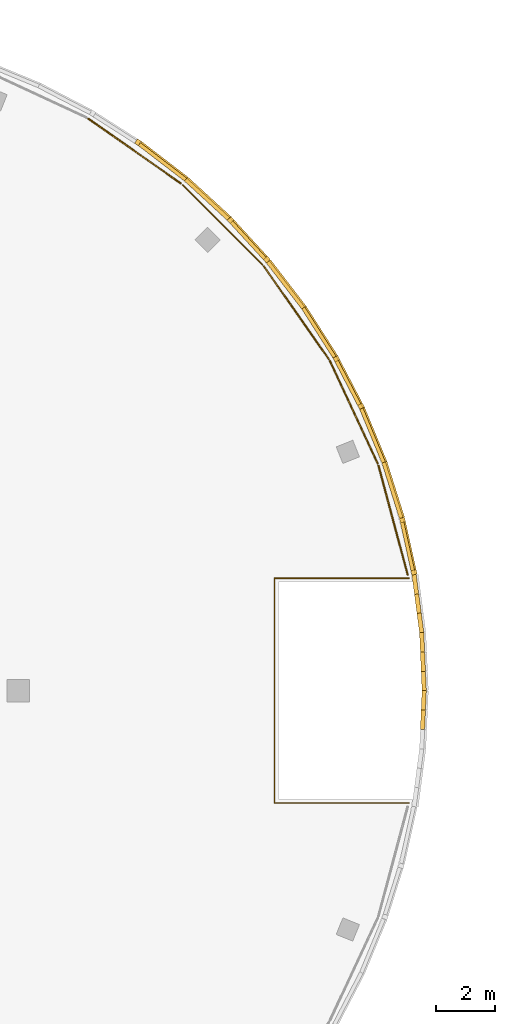
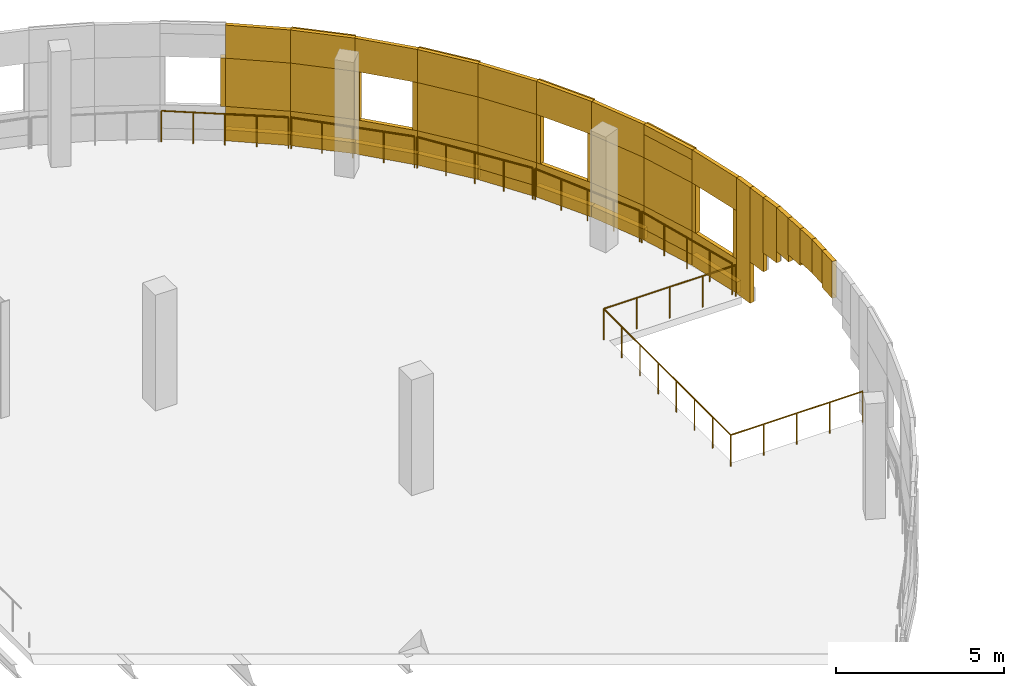
# One storey, part 133 of 135: 52 coverings, 6 railings.
"""IFC4 building model written with IfcOpenShell, lengths in metres."""

from ifc_helpers import new_model, si_unit, direction, frame, origin, origin_2d, place, context, subcontext, project, spatial, rectangle, circle, extrude, material, layer, layer_set, type_object, element, save


model = new_model("IFC4")

# Units and contexts
model_context = context("Model", 3, precision=1e-05, world=origin(), true_north=direction((0.0, 1.0)))
body_context = subcontext(model_context, "Body", "Model", "MODEL_VIEW")
ifc_project = project(units=[si_unit("LENGTHUNIT", "METRE"), si_unit("AREAUNIT", "SQUARE_METRE"), si_unit("VOLUMEUNIT", "CUBIC_METRE"), si_unit("PLANEANGLEUNIT", "RADIAN"), si_unit("MASSUNIT", "GRAM", prefix="KILO")], contexts=[model_context])

# Site, building, storey
site_placement = place(None, origin())
site = spatial("IfcSite", under=ifc_project, at=site_placement, CompositionType="ELEMENT")
building_placement = place(site_placement, origin())
building = spatial("IfcBuilding", under=site, at=building_placement, Name="Deido Ridge Mobility Hub", CompositionType="ELEMENT")
storey_placement = place(building_placement, frame((0.0, 0.0, 4.199951171875)))
storey = spatial("IfcBuildingStorey", under=building, at=storey_placement, Name="L01", CompositionType="ELEMENT", Elevation=4.199951171875)

# Coverings
ifc_material_1 = material(Name="Fired clay brick masonry", Category="masonry")
ifc_layer = layer(ifc_material_1, 0.114990234375, Name="Fired clay brick masonry")
ifc_layer_set = layer_set([ifc_layer], Name="Fired clay brick masonry")
covering_type = type_object("IfcCoveringType", Name="COV-BRK-SCREEN-115", PredefinedType="CLADDING", material=ifc_layer_set)
covering_1_placement = place(storey_placement, frame((139.414794921875, 102.521240234375, 2.864990234375), z_axis=(0.0, 0.0, 1.0), x_axis=(0.043601950678, 0.999048982732, 0.0)))
element("IfcCovering", 1, at=covering_1_placement, inside=storey, type_object=covering_type, Name="Stepped brick portal arch spandrel BKS1 (L01)", PredefinedType="CLADDING", context=body_context, shape_type="SweptSolid", body=[
    extrude(rectangle(XDim=0.657958984375, YDim=0.14501953125, at=origin_2d()), origin(), (0.0, 0.0, 1.0), 1.3349609375),
])
for number, where, z_axis, x_axis, name in (
    (2, (139.443115234375, 103.172119140625, 2.9853515625), (0.0, 0.0, 1.0), (0.043601950678, 0.999048982732, 0.0), "Stepped brick portal arch spandrel BKS1 (L01)"),
    (3, (139.443115234375, 103.827880859375, 2.9853515625), (0.0, 0.0, 1.0), (-0.043601950678, 0.999048982732, 0.0), "Stepped brick portal arch spandrel BKS1 (L01)"),
):
    element("IfcCovering", number, at=place(storey_placement, frame(where, z_axis=z_axis, x_axis=x_axis)), inside=storey, type_object=covering_type, Name=name, PredefinedType="CLADDING", context=body_context, shape_type="SweptSolid", body=[
        extrude(rectangle(XDim=0.657958984375, YDim=0.14501953125, at=origin_2d()), origin(), (0.0, 0.0, 1.0), 1.214599609375),
    ])
covering_2_placement = place(storey_placement, frame((139.414794921875, 104.478759765625, 2.864990234375), z_axis=(0.0, 0.0, 1.0), x_axis=(-0.043601950678, 0.999048982732, 0.0)))
element("IfcCovering", 4, at=covering_2_placement, inside=storey, type_object=covering_type, Name="Stepped brick portal arch spandrel BKS1 (L01)", PredefinedType="CLADDING", context=body_context, shape_type="SweptSolid", body=[
    extrude(rectangle(XDim=0.657958984375, YDim=0.14501953125, at=origin_2d()), origin(), (0.0, 0.0, 1.0), 1.3349609375),
])
covering_3_placement = place(storey_placement, frame((139.386474609375, 105.12939453125, 2.611328125), z_axis=(0.0, 0.0, 1.0), x_axis=(-0.043601950678, 0.999048982732, 0.0)))
element("IfcCovering", 5, at=covering_3_placement, inside=storey, type_object=covering_type, Name="Stepped brick portal arch spandrel BKS1 (L01)", PredefinedType="CLADDING", context=body_context, shape_type="SweptSolid", body=[
    extrude(rectangle(XDim=0.657958984375, YDim=0.14501953125, at=origin_2d()), origin(), (0.0, 0.0, 1.0), 1.588623046875),
])
covering_4_placement = place(storey_placement, frame((139.329345703125, 105.78271484375, 2.18994140625), z_axis=(0.0, 0.0, 1.0), x_axis=(-0.130543496177, 0.991442583111, 0.0)))
element("IfcCovering", 6, at=covering_4_placement, inside=storey, type_object=covering_type, Name="Stepped brick portal arch spandrel BKS1 (L01)", PredefinedType="CLADDING", context=body_context, shape_type="SweptSolid", body=[
    extrude(rectangle(XDim=0.657958984375, YDim=0.14501953125, at=origin_2d()), origin(), (0.0, 0.0, 1.0), 2.010009765625),
])
covering_5_placement = place(storey_placement, frame((139.244384765625, 106.428466796875, 1.504150390625), z_axis=(0.0, 0.0, 1.0), x_axis=(-0.130543496177, 0.991442583111, 0.0)))
element("IfcCovering", 7, at=covering_5_placement, inside=storey, type_object=covering_type, Name="Stepped brick portal arch spandrel BKS1 (L01)", PredefinedType="CLADDING", context=body_context, shape_type="SweptSolid", body=[
    extrude(rectangle(XDim=0.657958984375, YDim=0.14501953125, at=origin_2d()), origin(), (0.0, 0.0, 1.0), 2.69580078125),
])
covering_6_placement = place(storey_placement, frame((139.1591796875, 107.07421875, 0.0), z_axis=(0.0, 0.0, 1.0), x_axis=(-0.130543496177, 0.991442583111, 0.0)))
element("IfcCovering", 8, at=covering_6_placement, inside=storey, type_object=covering_type, Name="Stepped brick portal arch spandrel BKS1 (L01)", PredefinedType="CLADDING", context=body_context, shape_type="SweptSolid", body=[
    extrude(rectangle(XDim=0.657958984375, YDim=0.14501953125, at=origin_2d()), origin(), (0.0, 0.0, 1.0), 4.199951171875),
])
covering_7_placement = place(storey_placement, frame((138.89453125, 108.35400390625, 0.0), z_axis=(0.0, 0.0, 1.0), x_axis=(-0.216456653485, 0.976292229387, 0.0)))
element("IfcCovering", 9, at=covering_7_placement, inside=storey, type_object=covering_type, Name="Open brickwork spandrel course BKS1 (L01)", PredefinedType="CLADDING", context=body_context, shape_type="SweptSolid", body=[
    extrude(rectangle(XDim=1.9619140625, YDim=0.125, at=origin_2d()), origin(), (0.0, 0.0, 1.0), 1.25),
])
covering_8_placement = place(storey_placement, frame((138.92138671875, 108.35986328125, 0.0), z_axis=(0.0, 0.0, 1.0), x_axis=(-0.216456653485, 0.976292229387, 0.0)))
element("IfcCovering", 10, at=covering_8_placement, inside=storey, type_object=covering_type, Name="Raised brick relief belt BKS1 (L01)", PredefinedType="CLADDING", context=body_context, shape_type="SweptSolid", body=[
    extrude(rectangle(XDim=1.9619140625, YDim=0.179931640625, at=origin_2d()), origin(), (0.0, 0.0, 1.0), 0.39990234375),
])
covering_9_placement = place(storey_placement, frame((138.89453125, 108.35400390625, 3.0), z_axis=(0.0, 0.0, 1.0), x_axis=(-0.216456653485, 0.976292229387, 0.0)))
element("IfcCovering", 11, at=covering_9_placement, inside=storey, type_object=covering_type, Name="Open brickwork lintel course BKS1 (L01)", PredefinedType="CLADDING", context=body_context, shape_type="SweptSolid", body=[
    extrude(rectangle(XDim=1.9619140625, YDim=0.125, at=origin_2d()), origin(), (0.0, 0.0, 1.0), 1.199951171875),
])
for number, where, z_axis, x_axis, name in (
    (12, (139.116455078125, 107.480224609375, 1.25), (0.0, 0.0, 1.0), (-0.216456653485, 0.976292229387, 0.0), "Curved brick jamb nib BKS1 (L01)"),
    (13, (138.726318359375, 109.239501953125, 1.25), (0.0, 0.0, 1.0), (-0.216456653485, 0.976292229387, 0.0), "Curved brick jamb nib BKS1 (L01)"),
):
    element("IfcCovering", number, at=place(storey_placement, frame(where, z_axis=z_axis, x_axis=x_axis)), inside=storey, type_object=covering_type, Name=name, PredefinedType="CLADDING", context=body_context, shape_type="SweptSolid", body=[
        extrude(rectangle(XDim=0.152099609375, YDim=0.179931640625, at=origin_2d()), origin(), (0.0, 0.0, 1.0), 1.75),
    ])
covering_10_placement = place(storey_placement, frame((138.38818359375, 110.24365234375, 0.0), z_axis=(0.0, 0.0, 1.0), x_axis=(-0.300672508319, 0.95372744678, 0.0)))
element("IfcCovering", 14, at=covering_10_placement, inside=storey, type_object=covering_type, Name="Open brickwork spandrel course BKS1 (L01)", PredefinedType="CLADDING", context=body_context, shape_type="SweptSolid", body=[
    extrude(rectangle(XDim=1.9619140625, YDim=0.125, at=origin_2d()), origin(), (0.0, 0.0, 1.0), 1.25),
])
covering_11_placement = place(storey_placement, frame((138.414306640625, 110.251953125, 0.0), z_axis=(0.0, 0.0, 1.0), x_axis=(-0.300672508319, 0.95372744678, 0.0)))
element("IfcCovering", 15, at=covering_11_placement, inside=storey, type_object=covering_type, Name="Raised brick relief belt BKS1 (L01)", PredefinedType="CLADDING", context=body_context, shape_type="SweptSolid", body=[
    extrude(rectangle(XDim=1.9619140625, YDim=0.179931640625, at=origin_2d()), origin(), (0.0, 0.0, 1.0), 0.39990234375),
])
covering_12_placement = place(storey_placement, frame((138.38818359375, 110.24365234375, 3.0), z_axis=(0.0, 0.0, 1.0), x_axis=(-0.300672508319, 0.95372744678, 0.0)))
element("IfcCovering", 16, at=covering_12_placement, inside=storey, type_object=covering_type, Name="Open brickwork lintel course BKS1 (L01)", PredefinedType="CLADDING", context=body_context, shape_type="SweptSolid", body=[
    extrude(rectangle(XDim=1.9619140625, YDim=0.125, at=origin_2d()), origin(), (0.0, 0.0, 1.0), 1.199951171875),
])
covering_13_placement = place(storey_placement, frame((138.414306640625, 110.251953125, 3.83984375), z_axis=(0.0, 0.0, 1.0), x_axis=(-0.300672508319, 0.95372744678, 0.0)))
element("IfcCovering", 17, at=covering_13_placement, inside=storey, type_object=covering_type, Name="Raised brick relief cornice BKS1 (L01)", PredefinedType="CLADDING", context=body_context, shape_type="SweptSolid", body=[
    extrude(rectangle(XDim=1.9619140625, YDim=0.179931640625, at=origin_2d()), origin(), (0.0, 0.0, 1.0), 0.360107421875),
])
covering_14_placement = place(storey_placement, frame((138.414306640625, 110.251953125, 1.25), z_axis=(0.0, 0.0, 1.0), x_axis=(-0.300672508319, 0.95372744678, 0.0)))
element("IfcCovering", 18, at=covering_14_placement, inside=storey, type_object=covering_type, Name="Curved raised brickwork pier BKS1 (L01)", PredefinedType="CLADDING", context=body_context, shape_type="SweptSolid", body=[
    extrude(rectangle(XDim=1.9619140625, YDim=0.179931640625, at=origin_2d()), origin(), (0.0, 0.0, 1.0), 1.75),
])
covering_15_placement = place(storey_placement, frame((137.718994140625, 112.08203125, 0.0), z_axis=(0.0, 0.0, 1.0), x_axis=(-0.382699557047, 0.923872853285, 0.0)))
element("IfcCovering", 19, at=covering_15_placement, inside=storey, type_object=covering_type, Name="Open brickwork spandrel course BKS1 (L01)", PredefinedType="CLADDING", context=body_context, shape_type="SweptSolid", body=[
    extrude(rectangle(XDim=1.9619140625, YDim=0.125, at=origin_2d()), origin(), (0.0, 0.0, 1.0), 1.25),
])
covering_16_placement = place(storey_placement, frame((137.744384765625, 112.0927734375, 0.0), z_axis=(0.0, 0.0, 1.0), x_axis=(-0.382699557047, 0.923872853285, 0.0)))
element("IfcCovering", 20, at=covering_16_placement, inside=storey, type_object=covering_type, Name="Raised brick relief belt BKS1 (L01)", PredefinedType="CLADDING", context=body_context, shape_type="SweptSolid", body=[
    extrude(rectangle(XDim=1.9619140625, YDim=0.179931640625, at=origin_2d()), origin(), (0.0, 0.0, 1.0), 0.39990234375),
])
covering_17_placement = place(storey_placement, frame((137.718994140625, 112.08203125, 3.0), z_axis=(0.0, 0.0, 1.0), x_axis=(-0.382699557047, 0.923872853285, 0.0)))
element("IfcCovering", 21, at=covering_17_placement, inside=storey, type_object=covering_type, Name="Open brickwork lintel course BKS1 (L01)", PredefinedType="CLADDING", context=body_context, shape_type="SweptSolid", body=[
    extrude(rectangle(XDim=1.9619140625, YDim=0.125, at=origin_2d()), origin(), (0.0, 0.0, 1.0), 1.199951171875),
])
covering_18_placement = place(storey_placement, frame((137.718994140625, 112.08203125, 1.25), z_axis=(0.0, 0.0, 1.0), x_axis=(-0.382699557047, 0.923872853285, 0.0)))
element("IfcCovering", 22, at=covering_18_placement, inside=storey, type_object=covering_type, Name="Curved raised brickwork pier BKS1 (L01)", PredefinedType="CLADDING", context=body_context, shape_type="SweptSolid", body=[
    extrude(rectangle(XDim=1.9619140625, YDim=0.125, at=origin_2d()), origin(), (0.0, 0.0, 1.0), 1.75),
])
covering_19_placement = place(storey_placement, frame((136.892333984375, 113.855224609375, 0.0), z_axis=(0.0, 0.0, 1.0), x_axis=(-0.461733131905, 0.887018892077, 0.0)))
element("IfcCovering", 23, at=covering_19_placement, inside=storey, type_object=covering_type, Name="Open brickwork spandrel course BKS1 (L01)", PredefinedType="CLADDING", context=body_context, shape_type="SweptSolid", body=[
    extrude(rectangle(XDim=1.9619140625, YDim=0.125, at=origin_2d()), origin(), (0.0, 0.0, 1.0), 1.25),
])
covering_20_placement = place(storey_placement, frame((136.916748046875, 113.867919921875, 0.0), z_axis=(0.0, 0.0, 1.0), x_axis=(-0.461733131905, 0.887018892077, 0.0)))
element("IfcCovering", 24, at=covering_20_placement, inside=storey, type_object=covering_type, Name="Raised brick relief belt BKS1 (L01)", PredefinedType="CLADDING", context=body_context, shape_type="SweptSolid", body=[
    extrude(rectangle(XDim=1.9619140625, YDim=0.179931640625, at=origin_2d()), origin(), (0.0, 0.0, 1.0), 0.39990234375),
])
covering_21_placement = place(storey_placement, frame((136.892333984375, 113.855224609375, 3.0), z_axis=(0.0, 0.0, 1.0), x_axis=(-0.461733131905, 0.887018892077, 0.0)))
element("IfcCovering", 25, at=covering_21_placement, inside=storey, type_object=covering_type, Name="Open brickwork lintel course BKS1 (L01)", PredefinedType="CLADDING", context=body_context, shape_type="SweptSolid", body=[
    extrude(rectangle(XDim=1.9619140625, YDim=0.125, at=origin_2d()), origin(), (0.0, 0.0, 1.0), 1.199951171875),
])
covering_22_placement = place(storey_placement, frame((136.916748046875, 113.867919921875, 3.83984375), z_axis=(0.0, 0.0, 1.0), x_axis=(-0.461733131905, 0.887018892077, 0.0)))
element("IfcCovering", 26, at=covering_22_placement, inside=storey, type_object=covering_type, Name="Raised brick relief cornice BKS1 (L01)", PredefinedType="CLADDING", context=body_context, shape_type="SweptSolid", body=[
    extrude(rectangle(XDim=1.9619140625, YDim=0.179931640625, at=origin_2d()), origin(), (0.0, 0.0, 1.0), 0.360107421875),
])
for number, where, z_axis, x_axis, name in (
    (27, (137.332763671875, 113.068603515625, 1.25), (0.0, 0.0, 1.0), (-0.461733131905, 0.887018892077, 0.0), "Curved brick jamb nib BKS1 (L01)"),
    (28, (136.50048828125, 114.667236328125, 1.25), (0.0, 0.0, 1.0), (-0.461733131905, 0.887018892077, 0.0), "Curved brick jamb nib BKS1 (L01)"),
):
    element("IfcCovering", number, at=place(storey_placement, frame(where, z_axis=z_axis, x_axis=x_axis)), inside=storey, type_object=covering_type, Name=name, PredefinedType="CLADDING", context=body_context, shape_type="SweptSolid", body=[
        extrude(rectangle(XDim=0.152099609375, YDim=0.179931640625, at=origin_2d()), origin(), (0.0, 0.0, 1.0), 1.75),
    ])
covering_23_placement = place(storey_placement, frame((135.9140625, 115.549560546875, 0.0), z_axis=(0.0, 0.0, 1.0), x_axis=(-0.537314328223, 0.843382068037, 0.0)))
element("IfcCovering", 29, at=covering_23_placement, inside=storey, type_object=covering_type, Name="Open brickwork spandrel course BKS1 (L01)", PredefinedType="CLADDING", context=body_context, shape_type="SweptSolid", body=[
    extrude(rectangle(XDim=1.9619140625, YDim=0.125, at=origin_2d()), origin(), (0.0, 0.0, 1.0), 1.25),
])
covering_24_placement = place(storey_placement, frame((135.937255859375, 115.564208984375, 0.0), z_axis=(0.0, 0.0, 1.0), x_axis=(-0.537314328223, 0.843382068037, 0.0)))
element("IfcCovering", 30, at=covering_24_placement, inside=storey, type_object=covering_type, Name="Raised brick relief belt BKS1 (L01)", PredefinedType="CLADDING", context=body_context, shape_type="SweptSolid", body=[
    extrude(rectangle(XDim=1.9619140625, YDim=0.179931640625, at=origin_2d()), origin(), (0.0, 0.0, 1.0), 0.39990234375),
])
covering_25_placement = place(storey_placement, frame((135.9140625, 115.549560546875, 3.0), z_axis=(0.0, 0.0, 1.0), x_axis=(-0.537314328223, 0.843382068037, 0.0)))
element("IfcCovering", 31, at=covering_25_placement, inside=storey, type_object=covering_type, Name="Open brickwork lintel course BKS1 (L01)", PredefinedType="CLADDING", context=body_context, shape_type="SweptSolid", body=[
    extrude(rectangle(XDim=1.9619140625, YDim=0.125, at=origin_2d()), origin(), (0.0, 0.0, 1.0), 1.199951171875),
])
covering_26_placement = place(storey_placement, frame((135.9140625, 115.549560546875, 1.25), z_axis=(0.0, 0.0, 1.0), x_axis=(-0.537314328223, 0.843382068037, 0.0)))
element("IfcCovering", 32, at=covering_26_placement, inside=storey, type_object=covering_type, Name="Curved raised brickwork pier BKS1 (L01)", PredefinedType="CLADDING", context=body_context, shape_type="SweptSolid", body=[
    extrude(rectangle(XDim=1.9619140625, YDim=0.125, at=origin_2d()), origin(), (0.0, 0.0, 1.0), 1.75),
])
covering_27_placement = place(storey_placement, frame((134.7919921875, 117.152099609375, 0.0), z_axis=(0.0, 0.0, 1.0), x_axis=(-0.608761429009, 0.793353340291, 0.0)))
element("IfcCovering", 33, at=covering_27_placement, inside=storey, type_object=covering_type, Name="Open brickwork spandrel course BKS1 (L01)", PredefinedType="CLADDING", context=body_context, shape_type="SweptSolid", body=[
    extrude(rectangle(XDim=1.9619140625, YDim=0.125, at=origin_2d()), origin(), (0.0, 0.0, 1.0), 1.25),
])
covering_28_placement = place(storey_placement, frame((134.813720703125, 117.1689453125, 0.0), z_axis=(0.0, 0.0, 1.0), x_axis=(-0.608761429009, 0.793353340291, 0.0)))
element("IfcCovering", 34, at=covering_28_placement, inside=storey, type_object=covering_type, Name="Raised brick relief belt BKS1 (L01)", PredefinedType="CLADDING", context=body_context, shape_type="SweptSolid", body=[
    extrude(rectangle(XDim=1.9619140625, YDim=0.179931640625, at=origin_2d()), origin(), (0.0, 0.0, 1.0), 0.39990234375),
])
covering_29_placement = place(storey_placement, frame((134.7919921875, 117.152099609375, 3.0), z_axis=(0.0, 0.0, 1.0), x_axis=(-0.608761429009, 0.793353340291, 0.0)))
element("IfcCovering", 35, at=covering_29_placement, inside=storey, type_object=covering_type, Name="Open brickwork lintel course BKS1 (L01)", PredefinedType="CLADDING", context=body_context, shape_type="SweptSolid", body=[
    extrude(rectangle(XDim=1.9619140625, YDim=0.125, at=origin_2d()), origin(), (0.0, 0.0, 1.0), 1.199951171875),
])
covering_30_placement = place(storey_placement, frame((134.813720703125, 117.1689453125, 3.83984375), z_axis=(0.0, 0.0, 1.0), x_axis=(-0.608761429009, 0.793353340291, 0.0)))
element("IfcCovering", 36, at=covering_30_placement, inside=storey, type_object=covering_type, Name="Raised brick relief cornice BKS1 (L01)", PredefinedType="CLADDING", context=body_context, shape_type="SweptSolid", body=[
    extrude(rectangle(XDim=1.9619140625, YDim=0.179931640625, at=origin_2d()), origin(), (0.0, 0.0, 1.0), 0.360107421875),
])
covering_31_placement = place(storey_placement, frame((134.813720703125, 117.1689453125, 1.25), z_axis=(0.0, 0.0, 1.0), x_axis=(-0.608761429009, 0.793353340291, 0.0)))
element("IfcCovering", 37, at=covering_31_placement, inside=storey, type_object=covering_type, Name="Curved raised brickwork pier BKS1 (L01)", PredefinedType="CLADDING", context=body_context, shape_type="SweptSolid", body=[
    extrude(rectangle(XDim=1.9619140625, YDim=0.179931640625, at=origin_2d()), origin(), (0.0, 0.0, 1.0), 1.75),
])
covering_32_placement = place(storey_placement, frame((133.5341796875, 118.65087890625, 0.0), z_axis=(0.0, 0.0, 1.0), x_axis=(-0.675577339596, 0.737289127971, 0.0)))
element("IfcCovering", 38, at=covering_32_placement, inside=storey, type_object=covering_type, Name="Open brickwork spandrel course BKS1 (L01)", PredefinedType="CLADDING", context=body_context, shape_type="SweptSolid", body=[
    extrude(rectangle(XDim=1.9619140625, YDim=0.125, at=origin_2d()), origin(), (0.0, 0.0, 1.0), 1.25),
])
covering_33_placement = place(storey_placement, frame((133.5546875, 118.66943359375, 0.0), z_axis=(0.0, 0.0, 1.0), x_axis=(-0.675577339596, 0.737289127971, 0.0)))
element("IfcCovering", 39, at=covering_33_placement, inside=storey, type_object=covering_type, Name="Raised brick relief belt BKS1 (L01)", PredefinedType="CLADDING", context=body_context, shape_type="SweptSolid", body=[
    extrude(rectangle(XDim=1.9619140625, YDim=0.179931640625, at=origin_2d()), origin(), (0.0, 0.0, 1.0), 0.39990234375),
])
covering_34_placement = place(storey_placement, frame((133.5341796875, 118.65087890625, 3.0), z_axis=(0.0, 0.0, 1.0), x_axis=(-0.675577339596, 0.737289127971, 0.0)))
element("IfcCovering", 40, at=covering_34_placement, inside=storey, type_object=covering_type, Name="Open brickwork lintel course BKS1 (L01)", PredefinedType="CLADDING", context=body_context, shape_type="SweptSolid", body=[
    extrude(rectangle(XDim=1.9619140625, YDim=0.125, at=origin_2d()), origin(), (0.0, 0.0, 1.0), 1.199951171875),
])
for number, where, z_axis, x_axis, name in (
    (41, (134.163330078125, 118.005126953125, 1.25), (0.0, 0.0, 1.0), (-0.675577339596, 0.737289127971, 0.0), "Curved brick jamb nib BKS1 (L01)"),
    (42, (132.94580078125, 119.333740234375, 1.25), (0.0, 0.0, 1.0), (-0.675577339596, 0.737289127971, 0.0), "Curved brick jamb nib BKS1 (L01)"),
):
    element("IfcCovering", number, at=place(storey_placement, frame(where, z_axis=z_axis, x_axis=x_axis)), inside=storey, type_object=covering_type, Name=name, PredefinedType="CLADDING", context=body_context, shape_type="SweptSolid", body=[
        extrude(rectangle(XDim=0.152099609375, YDim=0.179931640625, at=origin_2d()), origin(), (0.0, 0.0, 1.0), 1.75),
    ])
covering_35_placement = place(storey_placement, frame((132.15087890625, 120.0341796875, 0.0), z_axis=(0.0, 0.0, 1.0), x_axis=(-0.737289127971, 0.675577339596, 0.0)))
element("IfcCovering", 43, at=covering_35_placement, inside=storey, type_object=covering_type, Name="Open brickwork spandrel course BKS1 (L01)", PredefinedType="CLADDING", context=body_context, shape_type="SweptSolid", body=[
    extrude(rectangle(XDim=1.9619140625, YDim=0.125, at=origin_2d()), origin(), (0.0, 0.0, 1.0), 1.25),
])
covering_36_placement = place(storey_placement, frame((132.16943359375, 120.0546875, 0.0), z_axis=(0.0, 0.0, 1.0), x_axis=(-0.737289127971, 0.675577339596, 0.0)))
element("IfcCovering", 44, at=covering_36_placement, inside=storey, type_object=covering_type, Name="Raised brick relief belt BKS1 (L01)", PredefinedType="CLADDING", context=body_context, shape_type="SweptSolid", body=[
    extrude(rectangle(XDim=1.9619140625, YDim=0.179931640625, at=origin_2d()), origin(), (0.0, 0.0, 1.0), 0.39990234375),
])
covering_37_placement = place(storey_placement, frame((132.15087890625, 120.0341796875, 3.0), z_axis=(0.0, 0.0, 1.0), x_axis=(-0.737289127971, 0.675577339596, 0.0)))
element("IfcCovering", 45, at=covering_37_placement, inside=storey, type_object=covering_type, Name="Open brickwork lintel course BKS1 (L01)", PredefinedType="CLADDING", context=body_context, shape_type="SweptSolid", body=[
    extrude(rectangle(XDim=1.9619140625, YDim=0.125, at=origin_2d()), origin(), (0.0, 0.0, 1.0), 1.199951171875),
])
covering_38_placement = place(storey_placement, frame((132.16943359375, 120.0546875, 3.83984375), z_axis=(0.0, 0.0, 1.0), x_axis=(-0.737289127971, 0.675577339596, 0.0)))
element("IfcCovering", 46, at=covering_38_placement, inside=storey, type_object=covering_type, Name="Raised brick relief cornice BKS1 (L01)", PredefinedType="CLADDING", context=body_context, shape_type="SweptSolid", body=[
    extrude(rectangle(XDim=1.9619140625, YDim=0.179931640625, at=origin_2d()), origin(), (0.0, 0.0, 1.0), 0.360107421875),
])
covering_39_placement = place(storey_placement, frame((132.16943359375, 120.0546875, 1.25), z_axis=(0.0, 0.0, 1.0), x_axis=(-0.737289127971, 0.675577339596, 0.0)))
element("IfcCovering", 47, at=covering_39_placement, inside=storey, type_object=covering_type, Name="Curved raised brickwork pier BKS1 (L01)", PredefinedType="CLADDING", context=body_context, shape_type="SweptSolid", body=[
    extrude(rectangle(XDim=1.9619140625, YDim=0.179931640625, at=origin_2d()), origin(), (0.0, 0.0, 1.0), 1.75),
])
covering_40_placement = place(storey_placement, frame((130.652099609375, 121.2919921875, 0.0), z_axis=(0.0, 0.0, 1.0), x_axis=(-0.793353340291, 0.608761429009, 0.0)))
element("IfcCovering", 48, at=covering_40_placement, inside=storey, type_object=covering_type, Name="Open brickwork spandrel course BKS1 (L01)", PredefinedType="CLADDING", context=body_context, shape_type="SweptSolid", body=[
    extrude(rectangle(XDim=1.9619140625, YDim=0.125, at=origin_2d()), origin(), (0.0, 0.0, 1.0), 1.25),
])
covering_41_placement = place(storey_placement, frame((130.6689453125, 121.313720703125, 0.0), z_axis=(0.0, 0.0, 1.0), x_axis=(-0.793353340291, 0.608761429009, 0.0)))
element("IfcCovering", 49, at=covering_41_placement, inside=storey, type_object=covering_type, Name="Raised brick relief belt BKS1 (L01)", PredefinedType="CLADDING", context=body_context, shape_type="SweptSolid", body=[
    extrude(rectangle(XDim=1.9619140625, YDim=0.179931640625, at=origin_2d()), origin(), (0.0, 0.0, 1.0), 0.39990234375),
])
covering_42_placement = place(storey_placement, frame((130.652099609375, 121.2919921875, 3.0), z_axis=(0.0, 0.0, 1.0), x_axis=(-0.793353340291, 0.608761429009, 0.0)))
element("IfcCovering", 50, at=covering_42_placement, inside=storey, type_object=covering_type, Name="Open brickwork lintel course BKS1 (L01)", PredefinedType="CLADDING", context=body_context, shape_type="SweptSolid", body=[
    extrude(rectangle(XDim=1.9619140625, YDim=0.125, at=origin_2d()), origin(), (0.0, 0.0, 1.0), 1.199951171875),
])
covering_43_placement = place(storey_placement, frame((130.652099609375, 121.2919921875, 1.25), z_axis=(0.0, 0.0, 1.0), x_axis=(-0.793353340291, 0.608761429009, 0.0)))
element("IfcCovering", 51, at=covering_43_placement, inside=storey, type_object=covering_type, Name="Curved raised brickwork pier BKS1 (L01)", PredefinedType="CLADDING", context=body_context, shape_type="SweptSolid", body=[
    extrude(rectangle(XDim=1.9619140625, YDim=0.125, at=origin_2d()), origin(), (0.0, 0.0, 1.0), 1.75),
])
covering_44_placement = place(storey_placement, frame((129.82421875, 121.953125, 1.25), z_axis=(0.0, 0.0, 1.0), x_axis=(-0.843382068037, 0.537314328223, 0.0)))
element("IfcCovering", 52, at=covering_44_placement, inside=storey, type_object=covering_type, Name="Curved brick jamb nib BKS1 (L01)", PredefinedType="CLADDING", context=body_context, shape_type="SweptSolid", body=[
    extrude(rectangle(XDim=0.152099609375, YDim=0.179931640625, at=origin_2d()), origin(), (0.0, 0.0, 1.0), 1.75),
])

# Railings
ifc_material_2 = material(Name="Galvanised steel work", Category="steel")
railing_type = type_object("IfcRailingType", Name="RL-GRD-EXT-1150", PredefinedType="GUARDRAIL", material=ifc_material_2)
railing_1_placement = place(storey_placement, frame((138.949951171875, 99.719970703125, 0.0)))
element("IfcRailing", 53, at=railing_1_placement, inside=storey, type_object=railing_type, Name="East double-height portal void guard GR1", PredefinedType="GUARDRAIL", context=body_context, shape_type="SweptSolid", body=[
    extrude(circle(Radius=0.02392578125, at=origin_2d()), frame((0.0, 0.0, 1.1259765625), z_axis=(-1.0, 0.0, 0.0), x_axis=(0.0, -1.0, 0.0)), (0.0, 0.0, 1.0), 4.530029296875),
    extrude(circle(Radius=0.02392578125, at=origin_2d()), frame((-4.530029296875, 0.0, 1.1259765625), z_axis=(0.0, 1.0, 0.0), x_axis=(-1.0, 0.0, 0.0)), (0.0, 0.0, 1.0), 7.56005859375),
    extrude(circle(Radius=0.02392578125, at=origin_2d()), frame((-4.530029296875, 7.56005859375, 1.1259765625), z_axis=(1.0, 0.0, 0.0), x_axis=(0.0, 1.0, 0.0)), (0.0, 0.0, 1.0), 4.530029296875),
    extrude(circle(Radius=0.02099609375, at=origin_2d()), origin(), (0.0, 0.0, 1.0), 1.101806640625),
    extrude(circle(Radius=0.02099609375, at=origin_2d()), frame((-1.132568359375, 0.0, 0.0)), (0.0, 0.0, 1.0), 1.101806640625),
    extrude(circle(Radius=0.02099609375, at=origin_2d()), frame((-2.26513671875, 0.0, 0.0)), (0.0, 0.0, 1.0), 1.101806640625),
    extrude(circle(Radius=0.02099609375, at=origin_2d()), frame((-3.3974609375, 0.0, 0.0)), (0.0, 0.0, 1.0), 1.101806640625),
    extrude(circle(Radius=0.02099609375, at=origin_2d()), frame((-4.530029296875, 0.0, 0.0)), (0.0, 0.0, 1.0), 1.101806640625),
    extrude(circle(Radius=0.02099609375, at=origin_2d()), frame((-4.530029296875, 1.080078125, 0.0)), (0.0, 0.0, 1.0), 1.101806640625),
    extrude(circle(Radius=0.02099609375, at=origin_2d()), frame((-4.530029296875, 2.159912109375, 0.0)), (0.0, 0.0, 1.0), 1.101806640625),
    extrude(circle(Radius=0.02099609375, at=origin_2d()), frame((-4.530029296875, 3.239990234375, 0.0)), (0.0, 0.0, 1.0), 1.101806640625),
    extrude(circle(Radius=0.02099609375, at=origin_2d()), frame((-4.530029296875, 4.320068359375, 0.0)), (0.0, 0.0, 1.0), 1.101806640625),
    extrude(circle(Radius=0.02099609375, at=origin_2d()), frame((-4.530029296875, 5.400146484375, 0.0)), (0.0, 0.0, 1.0), 1.101806640625),
    extrude(circle(Radius=0.02099609375, at=origin_2d()), frame((-4.530029296875, 6.47998046875, 0.0)), (0.0, 0.0, 1.0), 1.101806640625),
    extrude(circle(Radius=0.02099609375, at=origin_2d()), frame((-4.530029296875, 7.56005859375, 0.0)), (0.0, 0.0, 1.0), 1.101806640625),
    extrude(circle(Radius=0.02099609375, at=origin_2d()), frame((-3.3974609375, 7.56005859375, 0.0)), (0.0, 0.0, 1.0), 1.101806640625),
    extrude(circle(Radius=0.02099609375, at=origin_2d()), frame((-2.26513671875, 7.56005859375, 0.0)), (0.0, 0.0, 1.0), 1.101806640625),
    extrude(circle(Radius=0.02099609375, at=origin_2d()), frame((-1.132568359375, 7.56005859375, 0.0)), (0.0, 0.0, 1.0), 1.101806640625),
    extrude(circle(Radius=0.02099609375, at=origin_2d()), frame((0.0, 7.56005859375, 0.0)), (0.0, 0.0, 1.0), 1.101806640625),
])
railing_2_placement = place(storey_placement, frame((138.901611328125, 107.40234375, 0.0)))
element("IfcRailing", 54, at=railing_2_placement, inside=storey, type_object=railing_type, Name="Parking drum perimeter guard (L01)", PredefinedType="GUARDRAIL", context=body_context, shape_type="SweptSolid", body=[
    extrude(circle(Radius=0.02392578125, at=origin_2d()), frame((0.0, 0.0, 1.1259765625), z_axis=(-0.258774639064, 0.965937723757, 0.0), x_axis=(-0.965937723757, -0.258774639064, 0.0)), (0.0, 0.0, 1.0), 3.79833984375),
    extrude(circle(Radius=0.02099609375, at=origin_2d()), origin(), (0.0, 0.0, 1.0), 1.101806640625),
    extrude(circle(Radius=0.02099609375, at=origin_2d()), frame((-0.24560546875, 0.917236328125, 0.0)), (0.0, 0.0, 1.0), 1.101806640625),
    extrude(circle(Radius=0.02099609375, at=origin_2d()), frame((-0.491455078125, 1.83447265625, 0.0)), (0.0, 0.0, 1.0), 1.101806640625),
    extrude(circle(Radius=0.02099609375, at=origin_2d()), frame((-0.7373046875, 2.751708984375, 0.0)), (0.0, 0.0, 1.0), 1.101806640625),
    extrude(circle(Radius=0.02099609375, at=origin_2d()), frame((-0.98291015625, 3.6689453125, 0.0)), (0.0, 0.0, 1.0), 1.101806640625),
])
railing_3_placement = place(storey_placement, frame((137.891357421875, 111.146240234375, 0.0)))
element("IfcRailing", 55, at=railing_3_placement, inside=storey, type_object=railing_type, Name="Parking drum perimeter guard (L01)", PredefinedType="GUARDRAIL", context=body_context, shape_type="SweptSolid", body=[
    extrude(circle(Radius=0.02392578125, at=origin_2d()), frame((0.0, 0.0, 1.1259765625), z_axis=(-0.422674330627, 0.906281639574, 0.0), x_axis=(-0.906281639574, -0.422674330627, 0.0)), (0.0, 0.0, 1.0), 3.79833984375),
    extrude(circle(Radius=0.02099609375, at=origin_2d()), origin(), (0.0, 0.0, 1.0), 1.101806640625),
    extrude(circle(Radius=0.02099609375, at=origin_2d()), frame((-0.4013671875, 0.860595703125, 0.0)), (0.0, 0.0, 1.0), 1.101806640625),
    extrude(circle(Radius=0.02099609375, at=origin_2d()), frame((-0.802734375, 1.72119140625, 0.0)), (0.0, 0.0, 1.0), 1.101806640625),
    extrude(circle(Radius=0.02099609375, at=origin_2d()), frame((-1.2041015625, 2.581787109375, 0.0)), (0.0, 0.0, 1.0), 1.101806640625),
    extrude(circle(Radius=0.02099609375, at=origin_2d()), frame((-1.60546875, 3.4423828125, 0.0)), (0.0, 0.0, 1.0), 1.101806640625),
])
railing_4_placement = place(storey_placement, frame((136.24609375, 114.65771484375, 0.0)))
element("IfcRailing", 56, at=railing_4_placement, inside=storey, type_object=railing_type, Name="Parking drum perimeter guard (L01)", PredefinedType="GUARDRAIL", context=body_context, shape_type="SweptSolid", body=[
    extrude(circle(Radius=0.02392578125, at=origin_2d()), frame((0.0, 0.0, 1.1259765625), z_axis=(-0.573570179609, 0.819156425271, 0.0), x_axis=(-0.819156425271, -0.573570179609, 0.0)), (0.0, 0.0, 1.0), 3.798583984375),
    extrude(circle(Radius=0.02099609375, at=origin_2d()), origin(), (0.0, 0.0, 1.0), 1.101806640625),
    extrude(circle(Radius=0.02099609375, at=origin_2d()), frame((-0.544677734375, 0.77783203125, 0.0)), (0.0, 0.0, 1.0), 1.101806640625),
    extrude(circle(Radius=0.02099609375, at=origin_2d()), frame((-1.08935546875, 1.5556640625, 0.0)), (0.0, 0.0, 1.0), 1.101806640625),
    extrude(circle(Radius=0.02099609375, at=origin_2d()), frame((-1.634033203125, 2.333740234375, 0.0)), (0.0, 0.0, 1.0), 1.101806640625),
    extrude(circle(Radius=0.02099609375, at=origin_2d()), frame((-2.1787109375, 3.111572265625, 0.0)), (0.0, 0.0, 1.0), 1.101806640625),
])
railing_5_placement = place(storey_placement, frame((134.01611328125, 117.830322265625, 0.0)))
element("IfcRailing", 57, at=railing_5_placement, inside=storey, type_object=railing_type, Name="Parking drum perimeter guard (L01)", PredefinedType="GUARDRAIL", context=body_context, shape_type="SweptSolid", body=[
    extrude(circle(Radius=0.02392578125, at=origin_2d()), frame((0.0, 0.0, 1.1259765625), z_axis=(-0.707106781187, 0.707106781187, 0.0), x_axis=(-0.707106781187, -0.707106781187, 0.0)), (0.0, 0.0, 1.0), 3.79833984375),
    extrude(circle(Radius=0.02099609375, at=origin_2d()), origin(), (0.0, 0.0, 1.0), 1.101806640625),
    extrude(circle(Radius=0.02099609375, at=origin_2d()), frame((-0.67138671875, 0.67138671875, 0.0)), (0.0, 0.0, 1.0), 1.101806640625),
    extrude(circle(Radius=0.02099609375, at=origin_2d()), frame((-1.3427734375, 1.3427734375, 0.0)), (0.0, 0.0, 1.0), 1.101806640625),
    extrude(circle(Radius=0.02099609375, at=origin_2d()), frame((-2.014404296875, 2.014404296875, 0.0)), (0.0, 0.0, 1.0), 1.101806640625),
    extrude(circle(Radius=0.02099609375, at=origin_2d()), frame((-2.685791015625, 2.685791015625, 0.0)), (0.0, 0.0, 1.0), 1.101806640625),
])
railing_6_placement = place(storey_placement, frame((131.269287109375, 120.5673828125, 0.0)))
element("IfcRailing", 58, at=railing_6_placement, inside=storey, type_object=railing_type, Name="Parking drum perimeter guard (L01)", PredefinedType="GUARDRAIL", context=body_context, shape_type="SweptSolid", body=[
    extrude(circle(Radius=0.02392578125, at=origin_2d()), frame((0.0, 0.0, 1.1259765625), z_axis=(-0.819156425271, 0.573570179609, 0.0), x_axis=(-0.573570179609, -0.819156425271, 0.0)), (0.0, 0.0, 1.0), 3.798583984375),
    extrude(circle(Radius=0.02099609375, at=origin_2d()), origin(), (0.0, 0.0, 1.0), 1.101806640625),
    extrude(circle(Radius=0.02099609375, at=origin_2d()), frame((-0.77783203125, 0.544677734375, 0.0)), (0.0, 0.0, 1.0), 1.101806640625),
    extrude(circle(Radius=0.02099609375, at=origin_2d()), frame((-1.5556640625, 1.08935546875, 0.0)), (0.0, 0.0, 1.0), 1.101806640625),
    extrude(circle(Radius=0.02099609375, at=origin_2d()), frame((-2.333740234375, 1.634033203125, 0.0)), (0.0, 0.0, 1.0), 1.101806640625),
    extrude(circle(Radius=0.02099609375, at=origin_2d()), frame((-3.111572265625, 2.1787109375, 0.0)), (0.0, 0.0, 1.0), 1.101806640625),
])

save(model, "model.ifc")
